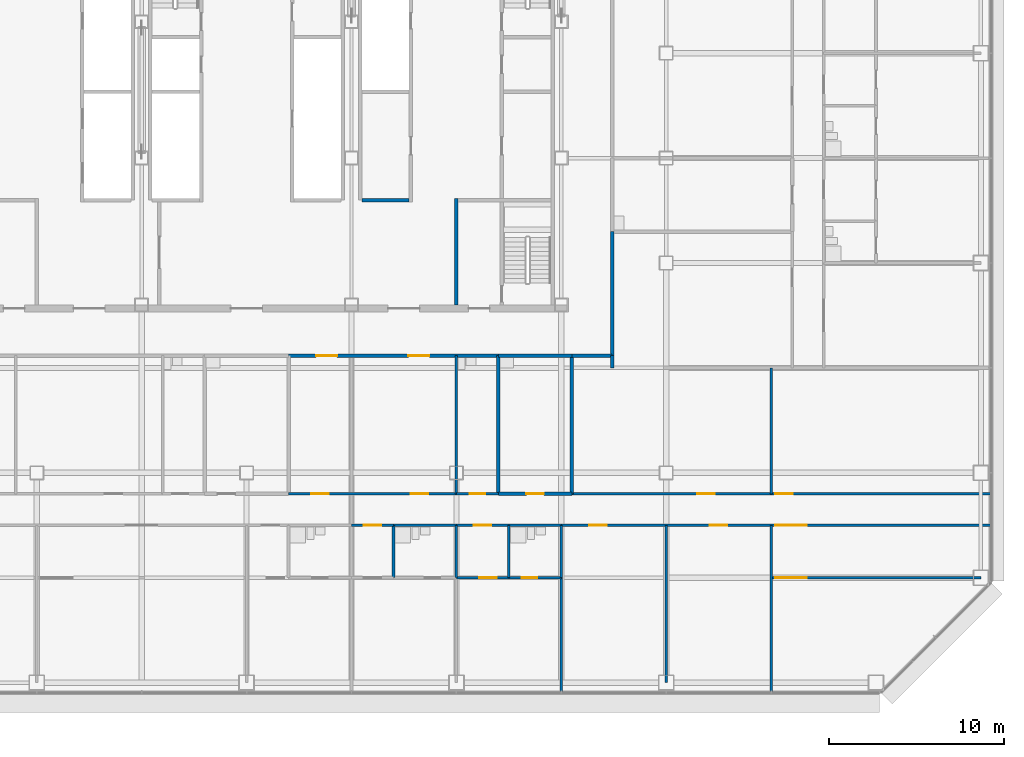
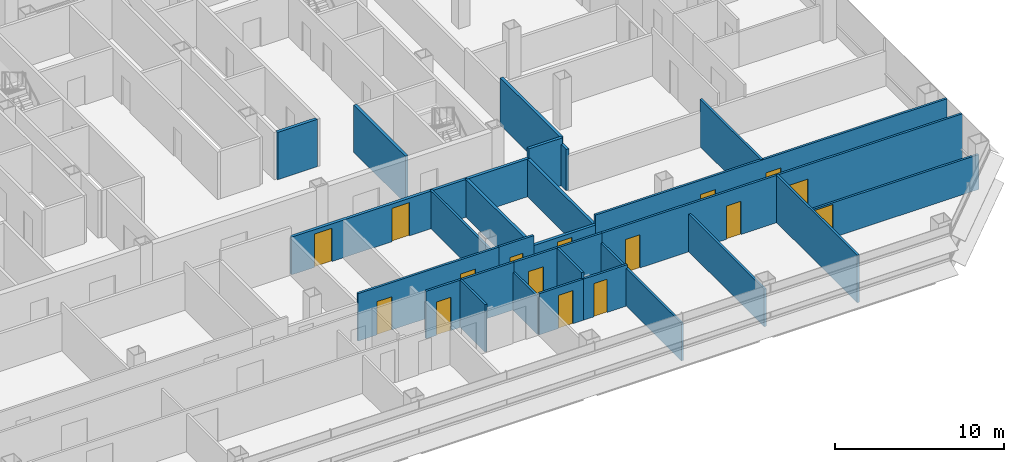
# One storey, part 21 of 26: 30 walls, 16 doors, 16 openings.
"""IFC4 building model written with IfcOpenShell, lengths in metres."""

from ifc_helpers import new_model, si_unit, direction, frame, frame_2d, origin, place, context, subcontext, project, spatial, rectangle, extrude, material, layer, layer_set, type_object, element, fill, save


model = new_model("IFC4")

# Units and contexts
model_context = context("Model", 3, precision=1e-05, world=origin(), true_north=direction((0.0, 1.0)))
body_context = subcontext(model_context, "Body", "Model", "MODEL_VIEW")
ifc_project = project(units=[si_unit("LENGTHUNIT", "METRE"), si_unit("AREAUNIT", "SQUARE_METRE"), si_unit("VOLUMEUNIT", "CUBIC_METRE"), si_unit("PLANEANGLEUNIT", "RADIAN"), si_unit("MASSUNIT", "GRAM", prefix="KILO")], contexts=[model_context])

# Site, building, storey
site_placement = place(None, origin())
site = spatial("IfcSite", under=ifc_project, at=site_placement, CompositionType="ELEMENT")
building_placement = place(site_placement, origin())
building = spatial("IfcBuilding", under=site, at=building_placement, Name="Sorahane Residences", CompositionType="ELEMENT")
storey_placement = place(building_placement, frame((0.0, 0.0, 71.39990234375)))
storey = spatial("IfcBuildingStorey", under=building, at=storey_placement, Name="L14", CompositionType="ELEMENT", Elevation=71.39990234375)

# Wall
ifc_material_1 = material(Name="Concrete blockwork C20 wall", Category="masonry")
ifc_layer_1 = layer(ifc_material_1, 0.199951171875)
ifc_layer_set_1 = layer_set([ifc_layer_1], Name="Corridor wall 200 EI 120")
wall_type_1 = type_object("IfcWallType", Name="Corridor wall 200 EI 120", PredefinedType="SOLIDWALL", material=ifc_layer_set_1)
wall_1_placement = place(storey_placement, frame((44.89990234375, 18.699951171875, 0.0), z_axis=(0.0, 0.0, 1.0), x_axis=(0.0, 1.0, 0.0)))
element("IfcWall", 1, at=wall_1_placement, inside=storey, type_object=wall_type_1, Name="L14 corridor wall", PredefinedType="SOLIDWALL", context=body_context, shape_type="SweptSolid", body=[
    extrude(rectangle(XDim=7.10009765625, YDim=0.199951171875, at=frame_2d((3.550048828125, 0.0))), origin(), (0.0, 0.0, 1.0), 3.420166015625),
])

# Wall, openings, doors
wall_2_placement = place(storey_placement, frame((26.39990234375, 18.699951171875, 0.0), z_axis=(0.0, 0.0, 1.0), x_axis=(1.0, 0.0, 0.0)))
wall_2 = element("IfcWall", 2, at=wall_2_placement, inside=storey, type_object=wall_type_1, Name="L14 corridor wall", PredefinedType="SOLIDWALL", context=body_context, shape_type="SweptSolid", body=[
    extrude(rectangle(XDim=12.0, YDim=0.199951171875, at=frame_2d((6.0, 0.0))), origin(), (0.0, 0.0, 1.0), 2.72021484375),
])
opening_1_placement = place(wall_2_placement, frame((1.580078125, 0.0, 0.0)))
opening_1 = element("IfcOpeningElement", 3, at=opening_1_placement, cuts=wall_2, Name="Opening L14-42", PredefinedType="OPENING", context=body_context, shape_type="SweptSolid", body=[
    extrude(rectangle(XDim=1.199951171875, YDim=2.39990234375, at=frame_2d((0.60009765625, 1.199951171875))), frame((0.0, 0.10986328125, 0.0), z_axis=(0.0, -1.0, 0.0), x_axis=(1.0, 0.0, 0.0)), (0.0, 0.0, 1.0), 0.219970703125),
])
opening_2_placement = place(wall_2_placement, frame((6.860107421875, 0.0, 0.0)))
opening_2 = element("IfcOpeningElement", 4, at=opening_2_placement, cuts=wall_2, Name="Opening L14-43", PredefinedType="OPENING", context=body_context, shape_type="SweptSolid", body=[
    extrude(rectangle(XDim=1.199951171875, YDim=2.39990234375, at=frame_2d((0.60009765625, 1.199951171875))), frame((0.0, 0.10986328125, 0.0), z_axis=(0.0, -1.0, 0.0), x_axis=(1.0, 0.0, 0.0)), (0.0, 0.0, 1.0), 0.219970703125),
])
ifc_material_2 = material(Name="Timber veneered fire door", Category="wood")
door_type_1 = type_object("IfcDoorType", Name="Flat entrance door 1200x2400 FD60", OperationType="NOTDEFINED", PredefinedType="DOOR", material=ifc_material_2)
door_1_placement = place(opening_1_placement, frame((1.199951171875, 0.0, 0.0), z_axis=(0.0, 0.0, 1.0), x_axis=(-1.0, 0.0, 0.0)))
door_1 = element("IfcDoor", 5, at=door_1_placement, inside=storey, type_object=door_type_1, Name="Flat entrance door L14-42", OperationType="SINGLE_SWING_LEFT", OverallHeight=2.39990234375, OverallWidth=1.199951171875, PredefinedType="DOOR", context=body_context, shape_type="SweptSolid", body=[
    extrude(rectangle(XDim=1.199951171875, YDim=2.39990234375, at=frame_2d((0.60009765625, 1.199951171875))), frame((0.0, 0.02490234375, 0.0), z_axis=(0.0, -1.0, 0.0), x_axis=(1.0, 0.0, 0.0)), (0.0, 0.0, 1.0), 0.050048828125),
])
fill(opening_1, door_1)
door_2_placement = place(opening_2_placement, frame((1.199951171875, 0.0, 0.0), z_axis=(0.0, 0.0, 1.0), x_axis=(-1.0, 0.0, 0.0)))
door_2 = element("IfcDoor", 6, at=door_2_placement, inside=storey, type_object=door_type_1, Name="Flat entrance door L14-43", OperationType="SINGLE_SWING_RIGHT", OverallHeight=2.39990234375, OverallWidth=1.199951171875, PredefinedType="DOOR", context=body_context, shape_type="SweptSolid", body=[
    extrude(rectangle(XDim=1.199951171875, YDim=2.39990234375, at=frame_2d((0.60009765625, 1.199951171875))), frame((0.0, 0.02490234375, 0.0), z_axis=(0.0, -1.0, 0.0), x_axis=(1.0, 0.0, 0.0)), (0.0, 0.0, 1.0), 0.050048828125),
])
fill(opening_2, door_2)

# Walls
wall_3_placement = place(storey_placement, frame((42.60009765625, 18.699951171875, 0.0), z_axis=(0.0, 0.0, 1.0), x_axis=(1.0, 0.0, 0.0)))
element("IfcWall", 7, at=wall_3_placement, inside=storey, type_object=wall_type_1, Name="L14 corridor wall", PredefinedType="SOLIDWALL", context=body_context, shape_type="SweptSolid", body=[
    extrude(rectangle(XDim=2.2998046875, YDim=0.199951171875, at=frame_2d((1.14990234375, 0.0))), origin(), (0.0, 0.0, 1.0), 3.420166015625),
])
ifc_material_3 = material(Name="Concrete C30", Category="concrete")
ifc_layer_2 = layer(ifc_material_3, 0.199951171875)
ifc_layer_set_2 = layer_set([ifc_layer_2], Name="Front room wall 200 EI 120")
wall_type_2 = type_object("IfcWallType", Name="Front room wall 200 EI 120", PredefinedType="PARTITIONING", material=ifc_layer_set_2)
wall_4_placement = place(storey_placement, frame((36.0, 21.60009765625, 0.0), z_axis=(0.0, 0.0, 1.0), x_axis=(0.0, 1.0, 0.0)))
element("IfcWall", 8, at=wall_4_placement, inside=storey, type_object=wall_type_2, Name="L14 front room wall", PredefinedType="PARTITIONING", context=body_context, shape_type="SweptSolid", body=[
    extrude(rectangle(XDim=6.099853515625, YDim=0.199951171875, at=frame_2d((3.0498046875, 0.0))), origin(), (0.0, 0.0, 1.0), 3.420166015625),
])
ifc_material_4 = material(Name="Concrete blockwork C20 wall", Category="masonry")
ifc_layer_3 = layer(ifc_material_4, 0.199951171875)
ifc_layer_set_3 = layer_set([ifc_layer_3], Name="Kitchen wall 200 EI 180")
wall_type_3 = type_object("IfcWallType", Name="Kitchen wall 200 EI 180", PredefinedType="SOLIDWALL", material=ifc_layer_set_3)
for number, where, z_axis, x_axis, name in (
    (9, (38.39990234375, 10.800048828125, 0.0), (0.0, 0.0, 1.0), (0.0, 1.0, 0.0), "L14 kitchen wall"),
    (10, (42.60009765625, 10.800048828125, 0.0), (0.0, 0.0, 1.0), (0.0, 1.0, 0.0), "L14 kitchen wall"),
):
    element("IfcWall", number, at=place(storey_placement, frame(where, z_axis=z_axis, x_axis=x_axis)), inside=storey, type_object=wall_type_3, Name=name, PredefinedType="SOLIDWALL", context=body_context, shape_type="SweptSolid", body=[
        extrude(rectangle(XDim=7.89990234375, YDim=0.199951171875, at=frame_2d((3.949951171875, 0.0))), origin(), (0.0, 0.0, 1.0), 2.72021484375),
    ])

# Wall, opening, door
wall_5_placement = place(storey_placement, frame((38.39990234375, 10.800048828125, 0.0), z_axis=(0.0, 0.0, 1.0), x_axis=(1.0, 0.0, 0.0)))
wall_5 = element("IfcWall", 11, at=wall_5_placement, inside=storey, type_object=wall_type_3, Name="L14 kitchen wall", PredefinedType="SOLIDWALL", context=body_context, shape_type="SweptSolid", body=[
    extrude(rectangle(XDim=4.2001953125, YDim=0.199951171875, at=frame_2d((2.10009765625, 0.0))), origin(), (0.0, 0.0, 1.0), 2.72021484375),
])
opening_3_placement = place(wall_5_placement, frame((1.60009765625, 0.0, 0.0)))
opening_3 = element("IfcOpeningElement", 12, at=opening_3_placement, cuts=wall_5, Name="Opening L14-15", PredefinedType="OPENING", context=body_context, shape_type="SweptSolid", body=[
    extrude(rectangle(XDim=1.0, YDim=2.39990234375, at=frame_2d((0.5, 1.199951171875))), frame((0.0, 0.10986328125, 0.0), z_axis=(0.0, -1.0, 0.0), x_axis=(1.0, 0.0, 0.0)), (0.0, 0.0, 1.0), 0.219970703125),
])
ifc_material_5 = material(Name="Steel", Category="steel")
door_type_2 = type_object("IfcDoorType", Name="Kitchen door 1000x2400 FD120", OperationType="NOTDEFINED", PredefinedType="DOOR", material=ifc_material_5)
door_3_placement = place(opening_3_placement, origin())
door_3 = element("IfcDoor", 13, at=door_3_placement, inside=storey, type_object=door_type_2, Name="Kitchen door L14-15", OperationType="SINGLE_SWING_RIGHT", OverallHeight=2.39990234375, OverallWidth=1.0, PredefinedType="DOOR", context=body_context, shape_type="SweptSolid", body=[
    extrude(rectangle(XDim=1.0, YDim=2.39990234375, at=frame_2d((0.5, 1.199951171875))), frame((0.0, 0.02490234375, 0.0), z_axis=(0.0, -1.0, 0.0), x_axis=(1.0, 0.0, 0.0)), (0.0, 0.0, 1.0), 0.050048828125),
])
fill(opening_3, door_3)

# Walls
wall_6_placement = place(storey_placement, frame((38.39990234375, 18.699951171875, 0.0), z_axis=(0.0, 0.0, 1.0), x_axis=(1.0, 0.0, 0.0)))
element("IfcWall", 14, at=wall_6_placement, inside=storey, type_object=wall_type_3, Name="L14 kitchen wall", PredefinedType="SOLIDWALL", context=body_context, shape_type="SweptSolid", body=[
    extrude(rectangle(XDim=4.2001953125, YDim=0.199951171875, at=frame_2d((2.10009765625, 0.0))), origin(), (0.0, 0.0, 1.0), 2.72021484375),
])
ifc_material_6 = material(Name="Gypsum board partition on steel studs", Category="steel")
ifc_layer_4 = layer(ifc_material_6, 0.14990234375)
ifc_layer_set_4 = layer_set([ifc_layer_4], Name="Partition 150 EI 90")
wall_type_4 = type_object("IfcWallType", Name="Partition 150 EI 90", PredefinedType="PARTITIONING", material=ifc_layer_set_4)
wall_7_placement = place(storey_placement, frame((42.0, -0.60009765625, 0.0), z_axis=(0.0, 0.0, 1.0), x_axis=(0.0, 1.0, 0.0)))
element("IfcWall", 15, at=wall_7_placement, inside=storey, type_object=wall_type_4, Name="L14 partition", PredefinedType="PARTITIONING", context=body_context, shape_type="SweptSolid", body=[
    extrude(rectangle(XDim=6.60009765625, YDim=0.14990234375, at=frame_2d((3.300048828125, 0.0))), origin(), (0.0, 0.0, 1.0), 2.72021484375),
])
wall_8_placement = place(storey_placement, frame((48.0, 0.0, 0.0), z_axis=(0.0, 0.0, 1.0), x_axis=(0.0, 1.0, 0.0)))
element("IfcWall", 16, at=wall_8_placement, inside=storey, type_object=wall_type_4, Name="L14 partition", PredefinedType="PARTITIONING", context=body_context, shape_type="SweptSolid", body=[
    extrude(rectangle(XDim=9.0, YDim=0.14990234375, at=frame_2d((4.5, 0.0))), origin(), (0.0, 0.0, 1.0), 2.72021484375),
])
wall_9_placement = place(storey_placement, frame((54.0, -0.60009765625, 0.0), z_axis=(0.0, 0.0, 1.0), x_axis=(0.0, 1.0, 0.0)))
element("IfcWall", 17, at=wall_9_placement, inside=storey, type_object=wall_type_4, Name="L14 partition", PredefinedType="PARTITIONING", context=body_context, shape_type="SweptSolid", body=[
    extrude(rectangle(XDim=9.60009765625, YDim=0.14990234375, at=frame_2d((4.800048828125, 0.0))), origin(), (0.0, 0.0, 1.0), 3.420166015625),
])
wall_10_placement = place(storey_placement, frame((54.0, 10.800048828125, 0.0), z_axis=(0.0, 0.0, 1.0), x_axis=(0.0, 1.0, 0.0)))
element("IfcWall", 18, at=wall_10_placement, inside=storey, type_object=wall_type_4, Name="L14 partition", PredefinedType="PARTITIONING", context=body_context, shape_type="SweptSolid", body=[
    extrude(rectangle(XDim=7.199951171875, YDim=0.14990234375, at=frame_2d((3.60009765625, 0.0))), origin(), (0.0, 0.0, 1.0), 3.420166015625),
])

# Wall, openings, doors
wall_11_placement = place(storey_placement, frame((26.39990234375, 10.800048828125, 0.0), z_axis=(0.0, 0.0, 1.0), x_axis=(1.0, 0.0, 0.0)))
wall_11 = element("IfcWall", 19, at=wall_11_placement, inside=storey, type_object=wall_type_4, Name="L14 partition", PredefinedType="PARTITIONING", context=body_context, shape_type="SweptSolid", body=[
    extrude(rectangle(XDim=9.60009765625, YDim=0.14990234375, at=frame_2d((4.800048828125, 0.0))), origin(), (0.0, 0.0, 1.0), 3.420166015625),
])
opening_4_placement = place(wall_11_placement, frame((1.300048828125, 0.0, 0.0)))
opening_4 = element("IfcOpeningElement", 20, at=opening_4_placement, cuts=wall_11, Name="Opening L14-01", PredefinedType="OPENING", context=body_context, shape_type="SweptSolid", body=[
    extrude(rectangle(XDim=1.0, YDim=2.39990234375, at=frame_2d((0.5, 1.199951171875))), frame((0.0, 0.0849609375, 0.0), z_axis=(0.0, -1.0, 0.0), x_axis=(1.0, 0.0, 0.0)), (0.0, 0.0, 1.0), 0.169921875),
])
opening_5_placement = place(wall_11_placement, frame((7.0, 0.0, 0.0)))
opening_5 = element("IfcOpeningElement", 21, at=opening_5_placement, cuts=wall_11, Name="Opening L14-13", PredefinedType="OPENING", context=body_context, shape_type="SweptSolid", body=[
    extrude(rectangle(XDim=1.0, YDim=2.39990234375, at=frame_2d((0.5, 1.199951171875))), frame((0.0, 0.0849609375, 0.0), z_axis=(0.0, -1.0, 0.0), x_axis=(1.0, 0.0, 0.0)), (0.0, 0.0, 1.0), 0.169921875),
])
ifc_material_7 = material(Name="Timber veneered fire door", Category="wood")
door_type_3 = type_object("IfcDoorType", Name="Room door 1000x2400 FD30", OperationType="NOTDEFINED", PredefinedType="DOOR", material=ifc_material_7)
door_4_placement = place(opening_4_placement, frame((1.0, 0.0, 0.0), z_axis=(0.0, 0.0, 1.0), x_axis=(-1.0, 0.0, 0.0)))
door_4 = element("IfcDoor", 22, at=door_4_placement, inside=storey, type_object=door_type_3, Name="Room door L14-01", OperationType="SINGLE_SWING_RIGHT", OverallHeight=2.39990234375, OverallWidth=1.0, PredefinedType="DOOR", context=body_context, shape_type="SweptSolid", body=[
    extrude(rectangle(XDim=1.0, YDim=2.39990234375, at=frame_2d((0.5, 1.199951171875))), frame((0.0, 0.02490234375, 0.0), z_axis=(0.0, -1.0, 0.0), x_axis=(1.0, 0.0, 0.0)), (0.0, 0.0, 1.0), 0.050048828125),
])
fill(opening_4, door_4)
door_5_placement = place(opening_5_placement, frame((1.0, 0.0, 0.0), z_axis=(0.0, 0.0, 1.0), x_axis=(-1.0, 0.0, 0.0)))
door_5 = element("IfcDoor", 23, at=door_5_placement, inside=storey, type_object=door_type_3, Name="Room door L14-13", OperationType="SINGLE_SWING_RIGHT", OverallHeight=2.39990234375, OverallWidth=1.0, PredefinedType="DOOR", context=body_context, shape_type="SweptSolid", body=[
    extrude(rectangle(XDim=1.0, YDim=2.39990234375, at=frame_2d((0.5, 1.199951171875))), frame((0.0, 0.02490234375, 0.0), z_axis=(0.0, -1.0, 0.0), x_axis=(1.0, 0.0, 0.0)), (0.0, 0.0, 1.0), 0.050048828125),
])
fill(opening_5, door_5)

wall_12_placement = place(storey_placement, frame((42.60009765625, 10.800048828125, 0.0), z_axis=(0.0, 0.0, 1.0), x_axis=(1.0, 0.0, 0.0)))
wall_12 = element("IfcWall", 24, at=wall_12_placement, inside=storey, type_object=wall_type_4, Name="L14 partition", PredefinedType="PARTITIONING", context=body_context, shape_type="SweptSolid", body=[
    extrude(rectangle(XDim=24.0, YDim=0.14990234375, at=frame_2d((12.0, 0.0))), origin(), (0.0, 0.0, 1.0), 3.420166015625),
])
opening_6_placement = place(wall_12_placement, frame((7.179931640625, 0.0, 0.0)))
opening_6 = element("IfcOpeningElement", 25, at=opening_6_placement, cuts=wall_12, Name="Opening L14-16", PredefinedType="OPENING", context=body_context, shape_type="SweptSolid", body=[
    extrude(rectangle(XDim=1.0, YDim=2.39990234375, at=frame_2d((0.5, 1.199951171875))), frame((0.0, 0.0849609375, 0.0), z_axis=(0.0, -1.0, 0.0), x_axis=(1.0, 0.0, 0.0)), (0.0, 0.0, 1.0), 0.169921875),
])
opening_7_placement = place(wall_12_placement, frame((11.64990234375, 0.0, 0.0)))
opening_7 = element("IfcOpeningElement", 26, at=opening_7_placement, cuts=wall_12, Name="Opening L14-17", PredefinedType="OPENING", context=body_context, shape_type="SweptSolid", body=[
    extrude(rectangle(XDim=1.0, YDim=2.39990234375, at=frame_2d((0.5, 1.199951171875))), frame((0.0, 0.0849609375, 0.0), z_axis=(0.0, -1.0, 0.0), x_axis=(1.0, 0.0, 0.0)), (0.0, 0.0, 1.0), 0.169921875),
])
door_6_placement = place(opening_6_placement, origin())
door_6 = element("IfcDoor", 27, at=door_6_placement, inside=storey, type_object=door_type_3, Name="Room door L14-16", OperationType="SINGLE_SWING_LEFT", OverallHeight=2.39990234375, OverallWidth=1.0, PredefinedType="DOOR", context=body_context, shape_type="SweptSolid", body=[
    extrude(rectangle(XDim=1.0, YDim=2.39990234375, at=frame_2d((0.5, 1.199951171875))), frame((0.0, 0.02490234375, 0.0), z_axis=(0.0, -1.0, 0.0), x_axis=(1.0, 0.0, 0.0)), (0.0, 0.0, 1.0), 0.050048828125),
])
fill(opening_6, door_6)
door_7_placement = place(opening_7_placement, origin())
door_7 = element("IfcDoor", 28, at=door_7_placement, inside=storey, type_object=door_type_3, Name="Room door L14-17", OperationType="SINGLE_SWING_LEFT", OverallHeight=2.39990234375, OverallWidth=1.0, PredefinedType="DOOR", context=body_context, shape_type="SweptSolid", body=[
    extrude(rectangle(XDim=1.0, YDim=2.39990234375, at=frame_2d((0.5, 1.199951171875))), frame((0.0, 0.02490234375, 0.0), z_axis=(0.0, -1.0, 0.0), x_axis=(1.0, 0.0, 0.0)), (0.0, 0.0, 1.0), 0.050048828125),
])
fill(opening_7, door_7)

# Wall, opening, door
wall_13_placement = place(storey_placement, frame((36.0, 6.0, 0.0), z_axis=(0.0, 0.0, 1.0), x_axis=(1.0, 0.0, 0.0)))
wall_13 = element("IfcWall", 29, at=wall_13_placement, inside=storey, type_object=wall_type_4, Name="L14 partition", PredefinedType="PARTITIONING", context=body_context, shape_type="SweptSolid", body=[
    extrude(rectangle(XDim=3.0, YDim=0.14990234375, at=frame_2d((1.5, 0.0))), origin(), (0.0, 0.0, 1.0), 2.97021484375),
])
opening_8_placement = place(wall_13_placement, frame((1.300048828125, 0.0, 0.0)))
opening_8 = element("IfcOpeningElement", 30, at=opening_8_placement, cuts=wall_13, Name="Opening L14-25", PredefinedType="OPENING", context=body_context, shape_type="SweptSolid", body=[
    extrude(rectangle(XDim=1.0, YDim=2.39990234375, at=frame_2d((0.5, 1.199951171875))), frame((0.0, 0.0849609375, 0.0), z_axis=(0.0, -1.0, 0.0), x_axis=(1.0, 0.0, 0.0)), (0.0, 0.0, 1.0), 0.169921875),
])
door_8_placement = place(opening_8_placement, frame((1.0, 0.0, 0.0), z_axis=(0.0, 0.0, 1.0), x_axis=(-1.0, 0.0, 0.0)))
door_8 = element("IfcDoor", 31, at=door_8_placement, inside=storey, type_object=door_type_3, Name="Room door L14-25", OperationType="SINGLE_SWING_LEFT", OverallHeight=2.39990234375, OverallWidth=1.0, PredefinedType="DOOR", context=body_context, shape_type="SweptSolid", body=[
    extrude(rectangle(XDim=1.0, YDim=2.39990234375, at=frame_2d((0.5, 1.199951171875))), frame((0.0, 0.02490234375, 0.0), z_axis=(0.0, -1.0, 0.0), x_axis=(1.0, 0.0, 0.0)), (0.0, 0.0, 1.0), 0.050048828125),
])
fill(opening_8, door_8)

wall_14_placement = place(storey_placement, frame((54.0, 6.0, 0.0), z_axis=(0.0, 0.0, 1.0), x_axis=(1.0, 0.0, 0.0)))
wall_14 = element("IfcWall", 32, at=wall_14_placement, inside=storey, type_object=wall_type_4, Name="L14 partition", PredefinedType="PARTITIONING", context=body_context, shape_type="SweptSolid", body=[
    extrude(rectangle(XDim=12.0, YDim=0.14990234375, at=frame_2d((6.0, 0.0))), origin(), (0.0, 0.0, 1.0), 2.52001953125),
])
opening_9_placement = place(wall_14_placement, frame((0.25, 0.0, 0.0)))
opening_9 = element("IfcOpeningElement", 33, at=opening_9_placement, cuts=wall_14, Name="Opening L14-27", PredefinedType="OPENING", context=body_context, shape_type="SweptSolid", body=[
    extrude(rectangle(XDim=1.800048828125, YDim=2.39990234375, at=frame_2d((0.89990234375, 1.199951171875))), frame((0.0, 0.0849609375, 0.0), z_axis=(0.0, -1.0, 0.0), x_axis=(1.0, 0.0, 0.0)), (0.0, 0.0, 1.0), 0.169921875),
])
ifc_material_8 = material(Name="Timber veneered fire door", Category="wood")
door_type_4 = type_object("IfcDoorType", Name="Double door 1800x2400 FD30", OperationType="NOTDEFINED", PredefinedType="DOOR", material=ifc_material_8)
door_9_placement = place(opening_9_placement, frame((1.800048828125, 0.0, 0.0), z_axis=(0.0, 0.0, 1.0), x_axis=(-1.0, 0.0, 0.0)))
door_9 = element("IfcDoor", 34, at=door_9_placement, inside=storey, type_object=door_type_4, Name="Double door L14-27", OperationType="SINGLE_SWING_RIGHT", OverallHeight=2.39990234375, OverallWidth=1.800048828125, PredefinedType="DOOR", context=body_context, shape_type="SweptSolid", body=[
    extrude(rectangle(XDim=1.800048828125, YDim=2.39990234375, at=frame_2d((0.89990234375, 1.199951171875))), frame((0.0, 0.02490234375, 0.0), z_axis=(0.0, -1.0, 0.0), x_axis=(1.0, 0.0, 0.0)), (0.0, 0.0, 1.0), 0.050048828125),
])
fill(opening_9, door_9)

wall_15_placement = place(storey_placement, frame((30.0, 9.0, 0.0), z_axis=(0.0, 0.0, 1.0), x_axis=(1.0, 0.0, 0.0)))
wall_15 = element("IfcWall", 35, at=wall_15_placement, inside=storey, type_object=wall_type_4, Name="L14 partition", PredefinedType="PARTITIONING", context=body_context, shape_type="SweptSolid", body=[
    extrude(rectangle(XDim=2.39990234375, YDim=0.14990234375, at=frame_2d((1.199951171875, 0.0))), origin(), (0.0, 0.0, 1.0), 3.420166015625),
])
opening_10_placement = place(wall_15_placement, frame((0.699951171875, 0.0, 0.0)))
opening_10 = element("IfcOpeningElement", 36, at=opening_10_placement, cuts=wall_15, Name="Opening L14-18", PredefinedType="OPENING", context=body_context, shape_type="SweptSolid", body=[
    extrude(rectangle(XDim=1.0, YDim=2.39990234375, at=frame_2d((0.5, 1.199951171875))), frame((0.0, 0.0849609375, 0.0), z_axis=(0.0, -1.0, 0.0), x_axis=(1.0, 0.0, 0.0)), (0.0, 0.0, 1.0), 0.169921875),
])
door_10_placement = place(opening_10_placement, frame((1.0, 0.0, 0.0), z_axis=(0.0, 0.0, 1.0), x_axis=(-1.0, 0.0, 0.0)))
door_10 = element("IfcDoor", 37, at=door_10_placement, inside=storey, type_object=door_type_3, Name="Room door L14-18", OperationType="SINGLE_SWING_LEFT", OverallHeight=2.39990234375, OverallWidth=1.0, PredefinedType="DOOR", context=body_context, shape_type="SweptSolid", body=[
    extrude(rectangle(XDim=1.0, YDim=2.39990234375, at=frame_2d((0.5, 1.199951171875))), frame((0.0, 0.02490234375, 0.0), z_axis=(0.0, -1.0, 0.0), x_axis=(1.0, 0.0, 0.0)), (0.0, 0.0, 1.0), 0.050048828125),
])
fill(opening_10, door_10)

wall_16_placement = place(storey_placement, frame((36.0, 9.0, 0.0), z_axis=(0.0, 0.0, 1.0), x_axis=(1.0, 0.0, 0.0)))
wall_16 = element("IfcWall", 38, at=wall_16_placement, inside=storey, type_object=wall_type_4, Name="L14 partition", PredefinedType="PARTITIONING", context=body_context, shape_type="SweptSolid", body=[
    extrude(rectangle(XDim=3.0, YDim=0.14990234375, at=frame_2d((1.5, 0.0))), origin(), (0.0, 0.0, 1.0), 3.420166015625),
])
opening_11_placement = place(wall_16_placement, frame((1.0, 0.0, 0.0)))
opening_11 = element("IfcOpeningElement", 39, at=opening_11_placement, cuts=wall_16, Name="Opening L14-19", PredefinedType="OPENING", context=body_context, shape_type="SweptSolid", body=[
    extrude(rectangle(XDim=1.0, YDim=2.39990234375, at=frame_2d((0.5, 1.199951171875))), frame((0.0, 0.0849609375, 0.0), z_axis=(0.0, -1.0, 0.0), x_axis=(1.0, 0.0, 0.0)), (0.0, 0.0, 1.0), 0.169921875),
])
door_11_placement = place(opening_11_placement, frame((1.0, 0.0, 0.0), z_axis=(0.0, 0.0, 1.0), x_axis=(-1.0, 0.0, 0.0)))
door_11 = element("IfcDoor", 40, at=door_11_placement, inside=storey, type_object=door_type_3, Name="Room door L14-19", OperationType="SINGLE_SWING_RIGHT", OverallHeight=2.39990234375, OverallWidth=1.0, PredefinedType="DOOR", context=body_context, shape_type="SweptSolid", body=[
    extrude(rectangle(XDim=1.0, YDim=2.39990234375, at=frame_2d((0.5, 1.199951171875))), frame((0.0, 0.02490234375, 0.0), z_axis=(0.0, -1.0, 0.0), x_axis=(1.0, 0.0, 0.0)), (0.0, 0.0, 1.0), 0.050048828125),
])
fill(opening_11, door_11)

# Wall, openings, doors
wall_17_placement = place(storey_placement, frame((42.0, 9.0, 0.0), z_axis=(0.0, 0.0, 1.0), x_axis=(1.0, 0.0, 0.0)))
wall_17 = element("IfcWall", 41, at=wall_17_placement, inside=storey, type_object=wall_type_4, Name="L14 partition", PredefinedType="PARTITIONING", context=body_context, shape_type="SweptSolid", body=[
    extrude(rectangle(XDim=24.60009765625, YDim=0.14990234375, at=frame_2d((12.300048828125, 0.0))), origin(), (0.0, 0.0, 1.0), 3.420166015625),
])
opening_12_placement = place(wall_17_placement, frame((1.60009765625, 0.0, 0.0)))
opening_12 = element("IfcOpeningElement", 42, at=opening_12_placement, cuts=wall_17, Name="Opening L14-20", PredefinedType="OPENING", context=body_context, shape_type="SweptSolid", body=[
    extrude(rectangle(XDim=1.0, YDim=2.39990234375, at=frame_2d((0.5, 1.199951171875))), frame((0.0, 0.0849609375, 0.0), z_axis=(0.0, -1.0, 0.0), x_axis=(1.0, 0.0, 0.0)), (0.0, 0.0, 1.0), 0.169921875),
])
opening_13_placement = place(wall_17_placement, frame((8.5, 0.0, 0.0)))
opening_13 = element("IfcOpeningElement", 43, at=opening_13_placement, cuts=wall_17, Name="Opening L14-21", PredefinedType="OPENING", context=body_context, shape_type="SweptSolid", body=[
    extrude(rectangle(XDim=1.0, YDim=2.39990234375, at=frame_2d((0.5, 1.199951171875))), frame((0.0, 0.0849609375, 0.0), z_axis=(0.0, -1.0, 0.0), x_axis=(1.0, 0.0, 0.0)), (0.0, 0.0, 1.0), 0.169921875),
])
opening_14_placement = place(wall_17_placement, frame((12.25, 0.0, 0.0)))
opening_14 = element("IfcOpeningElement", 44, at=opening_14_placement, cuts=wall_17, Name="Opening L14-22", PredefinedType="OPENING", context=body_context, shape_type="SweptSolid", body=[
    extrude(rectangle(XDim=1.800048828125, YDim=2.39990234375, at=frame_2d((0.89990234375, 1.199951171875))), frame((0.0, 0.0849609375, 0.0), z_axis=(0.0, -1.0, 0.0), x_axis=(1.0, 0.0, 0.0)), (0.0, 0.0, 1.0), 0.169921875),
])
door_12_placement = place(opening_14_placement, frame((1.800048828125, 0.0, 0.0), z_axis=(0.0, 0.0, 1.0), x_axis=(-1.0, 0.0, 0.0)))
door_12 = element("IfcDoor", 45, at=door_12_placement, inside=storey, type_object=door_type_4, Name="Double door L14-22", OperationType="SINGLE_SWING_RIGHT", OverallHeight=2.39990234375, OverallWidth=1.800048828125, PredefinedType="DOOR", context=body_context, shape_type="SweptSolid", body=[
    extrude(rectangle(XDim=1.800048828125, YDim=2.39990234375, at=frame_2d((0.89990234375, 1.199951171875))), frame((0.0, 0.02490234375, 0.0), z_axis=(0.0, -1.0, 0.0), x_axis=(1.0, 0.0, 0.0)), (0.0, 0.0, 1.0), 0.050048828125),
])
fill(opening_14, door_12)
door_13_placement = place(opening_12_placement, frame((1.0, 0.0, 0.0), z_axis=(0.0, 0.0, 1.0), x_axis=(-1.0, 0.0, 0.0)))
door_13 = element("IfcDoor", 46, at=door_13_placement, inside=storey, type_object=door_type_3, Name="Room door L14-20", OperationType="SINGLE_SWING_LEFT", OverallHeight=2.39990234375, OverallWidth=1.0, PredefinedType="DOOR", context=body_context, shape_type="SweptSolid", body=[
    extrude(rectangle(XDim=1.0, YDim=2.39990234375, at=frame_2d((0.5, 1.199951171875))), frame((0.0, 0.02490234375, 0.0), z_axis=(0.0, -1.0, 0.0), x_axis=(1.0, 0.0, 0.0)), (0.0, 0.0, 1.0), 0.050048828125),
])
fill(opening_12, door_13)
door_14_placement = place(opening_13_placement, frame((1.0, 0.0, 0.0), z_axis=(0.0, 0.0, 1.0), x_axis=(-1.0, 0.0, 0.0)))
door_14 = element("IfcDoor", 47, at=door_14_placement, inside=storey, type_object=door_type_3, Name="Room door L14-21", OperationType="SINGLE_SWING_RIGHT", OverallHeight=2.39990234375, OverallWidth=1.0, PredefinedType="DOOR", context=body_context, shape_type="SweptSolid", body=[
    extrude(rectangle(XDim=1.0, YDim=2.39990234375, at=frame_2d((0.5, 1.199951171875))), frame((0.0, 0.02490234375, 0.0), z_axis=(0.0, -1.0, 0.0), x_axis=(1.0, 0.0, 0.0)), (0.0, 0.0, 1.0), 0.050048828125),
])
fill(opening_13, door_14)

# Walls
ifc_material_9 = material(Name="Concrete blockwork C20 wall", Category="masonry")
ifc_layer_5 = layer(ifc_material_9, 0.199951171875)
ifc_layer_set_5 = layer_set([ifc_layer_5], Name="Party wall 200 EI 120")
wall_type_5 = type_object("IfcWallType", Name="Party wall 200 EI 120", PredefinedType="SOLIDWALL", material=ifc_layer_set_5)
wall_18_placement = place(storey_placement, frame((44.89990234375, 18.0, 0.0), z_axis=(0.0, 0.0, 1.0), x_axis=(0.0, 1.0, 0.0)))
element("IfcWall", 48, at=wall_18_placement, inside=storey, type_object=wall_type_5, Name="L14 party wall", PredefinedType="SOLIDWALL", context=body_context, shape_type="SweptSolid", body=[
    extrude(rectangle(XDim=0.699951171875, YDim=0.199951171875, at=frame_2d((0.35009765625, 0.0))), origin(), (0.0, 0.0, 1.0), 2.97021484375),
])
ifc_material_10 = material(Name="Concrete C30", Category="concrete")
ifc_layer_6 = layer(ifc_material_10, 0.199951171875)
ifc_layer_set_6 = layer_set([ifc_layer_6], Name="Service room partition 200 EI 60")
wall_type_6 = type_object("IfcWallType", Name="Service room partition 200 EI 60", PredefinedType="PARTITIONING", material=ifc_layer_set_6)
wall_19_placement = place(storey_placement, frame((30.60009765625, 27.60009765625, 0.0), z_axis=(0.0, 0.0, 1.0), x_axis=(1.0, 0.0, 0.0)))
element("IfcWall", 49, at=wall_19_placement, inside=storey, type_object=wall_type_6, Name="L14 service room wall", PredefinedType="PARTITIONING", context=body_context, shape_type="SweptSolid", body=[
    extrude(rectangle(XDim=2.699951171875, YDim=0.199951171875, at=frame_2d((1.35009765625, 0.0))), origin(), (0.0, 0.0, 1.0), 3.420166015625),
])
ifc_material_11 = material(Name="Gypsum board partition on steel studs", Category="steel")
ifc_layer_7 = layer(ifc_material_11, 0.14990234375)
ifc_layer_set_7 = layer_set([ifc_layer_7], Name="Wet wall 150 EI 90")
wall_type_7 = type_object("IfcWallType", Name="Wet wall 150 EI 90", PredefinedType="PARTITIONING", material=ifc_layer_set_7)
wall_20_placement = place(storey_placement, frame((32.39990234375, 6.0, 0.0), z_axis=(0.0, 0.0, 1.0), x_axis=(0.0, 1.0, 0.0)))
element("IfcWall", 50, at=wall_20_placement, inside=storey, type_object=wall_type_7, Name="L14 wet wall", PredefinedType="PARTITIONING", context=body_context, shape_type="SweptSolid", body=[
    extrude(rectangle(XDim=3.0, YDim=0.14990234375, at=frame_2d((1.5, 0.0))), origin(), (0.0, 0.0, 1.0), 3.420166015625),
])
wall_21_placement = place(storey_placement, frame((36.0, 6.0, 0.0), z_axis=(0.0, 0.0, 1.0), x_axis=(0.0, 1.0, 0.0)))
element("IfcWall", 51, at=wall_21_placement, inside=storey, type_object=wall_type_7, Name="L14 wet wall", PredefinedType="PARTITIONING", context=body_context, shape_type="SweptSolid", body=[
    extrude(rectangle(XDim=3.0, YDim=0.14990234375, at=frame_2d((1.5, 0.0))), origin(), (0.0, 0.0, 1.0), 2.72021484375),
])
wall_22_placement = place(storey_placement, frame((36.0, 10.800048828125, 0.0), z_axis=(0.0, 0.0, 1.0), x_axis=(0.0, 1.0, 0.0)))
element("IfcWall", 52, at=wall_22_placement, inside=storey, type_object=wall_type_7, Name="L14 wet wall", PredefinedType="PARTITIONING", context=body_context, shape_type="SweptSolid", body=[
    extrude(rectangle(XDim=7.89990234375, YDim=0.14990234375, at=frame_2d((3.949951171875, 0.0))), origin(), (0.0, 0.0, 1.0), 2.72021484375),
])
wall_23_placement = place(storey_placement, frame((39.0, 6.0, 0.0), z_axis=(0.0, 0.0, 1.0), x_axis=(0.0, 1.0, 0.0)))
element("IfcWall", 53, at=wall_23_placement, inside=storey, type_object=wall_type_7, Name="L14 wet wall", PredefinedType="PARTITIONING", context=body_context, shape_type="SweptSolid", body=[
    extrude(rectangle(XDim=3.0, YDim=0.14990234375, at=frame_2d((1.5, 0.0))), origin(), (0.0, 0.0, 1.0), 3.420166015625),
])
wall_24_placement = place(storey_placement, frame((42.0, 6.0, 0.0), z_axis=(0.0, 0.0, 1.0), x_axis=(0.0, 1.0, 0.0)))
element("IfcWall", 54, at=wall_24_placement, inside=storey, type_object=wall_type_7, Name="L14 wet wall", PredefinedType="PARTITIONING", context=body_context, shape_type="SweptSolid", body=[
    extrude(rectangle(XDim=3.0, YDim=0.14990234375, at=frame_2d((1.5, 0.0))), origin(), (0.0, 0.0, 1.0), 2.72021484375),
])

# Wall, opening, door
wall_25_placement = place(storey_placement, frame((36.0, 10.800048828125, 0.0), z_axis=(0.0, 0.0, 1.0), x_axis=(1.0, 0.0, 0.0)))
wall_25 = element("IfcWall", 55, at=wall_25_placement, inside=storey, type_object=wall_type_7, Name="L14 wet wall", PredefinedType="PARTITIONING", context=body_context, shape_type="SweptSolid", body=[
    extrude(rectangle(XDim=2.39990234375, YDim=0.14990234375, at=frame_2d((1.199951171875, 0.0))), origin(), (0.0, 0.0, 1.0), 3.420166015625),
])
opening_15_placement = place(wall_25_placement, frame((0.75, 0.0, 0.0)))
opening_15 = element("IfcOpeningElement", 56, at=opening_15_placement, cuts=wall_25, Name="Opening L14-14", PredefinedType="OPENING", context=body_context, shape_type="SweptSolid", body=[
    extrude(rectangle(XDim=0.89990234375, YDim=2.39990234375, at=frame_2d((0.449951171875, 1.199951171875))), frame((0.0, 0.0849609375, 0.0), z_axis=(0.0, -1.0, 0.0), x_axis=(1.0, 0.0, 0.0)), (0.0, 0.0, 1.0), 0.169921875),
])
ifc_material_12 = material(Name="Timber veneered fire door", Category="wood")
door_type_5 = type_object("IfcDoorType", Name="Bathroom door 900x2400 FD30", OperationType="NOTDEFINED", PredefinedType="DOOR", material=ifc_material_12)
door_15_placement = place(opening_15_placement, frame((0.89990234375, 0.0, 0.0), z_axis=(0.0, 0.0, 1.0), x_axis=(-1.0, 0.0, 0.0)))
door_15 = element("IfcDoor", 57, at=door_15_placement, inside=storey, type_object=door_type_5, Name="Bathroom door L14-14", OperationType="SINGLE_SWING_LEFT", OverallHeight=2.39990234375, OverallWidth=0.89990234375, PredefinedType="DOOR", context=body_context, shape_type="SweptSolid", body=[
    extrude(rectangle(XDim=0.89990234375, YDim=2.39990234375, at=frame_2d((0.449951171875, 1.199951171875))), frame((0.0, 0.02490234375, 0.0), z_axis=(0.0, -1.0, 0.0), x_axis=(1.0, 0.0, 0.0)), (0.0, 0.0, 1.0), 0.050048828125),
])
fill(opening_15, door_15)

wall_26_placement = place(storey_placement, frame((39.0, 6.0, 0.0), z_axis=(0.0, 0.0, 1.0), x_axis=(1.0, 0.0, 0.0)))
wall_26 = element("IfcWall", 58, at=wall_26_placement, inside=storey, type_object=wall_type_7, Name="L14 wet wall", PredefinedType="PARTITIONING", context=body_context, shape_type="SweptSolid", body=[
    extrude(rectangle(XDim=3.0, YDim=0.14990234375, at=frame_2d((1.5, 0.0))), origin(), (0.0, 0.0, 1.0), 2.97021484375),
])
opening_16_placement = place(wall_26_placement, frame((0.72998046875, 0.0, 0.0)))
opening_16 = element("IfcOpeningElement", 59, at=opening_16_placement, cuts=wall_26, Name="Opening L14-26", PredefinedType="OPENING", context=body_context, shape_type="SweptSolid", body=[
    extrude(rectangle(XDim=0.89990234375, YDim=2.39990234375, at=frame_2d((0.449951171875, 1.199951171875))), frame((0.0, 0.0849609375, 0.0), z_axis=(0.0, -1.0, 0.0), x_axis=(1.0, 0.0, 0.0)), (0.0, 0.0, 1.0), 0.169921875),
])
door_16_placement = place(opening_16_placement, frame((0.89990234375, 0.0, 0.0), z_axis=(0.0, 0.0, 1.0), x_axis=(-1.0, 0.0, 0.0)))
door_16 = element("IfcDoor", 60, at=door_16_placement, inside=storey, type_object=door_type_5, Name="Bathroom door L14-26", OperationType="SINGLE_SWING_RIGHT", OverallHeight=2.39990234375, OverallWidth=0.89990234375, PredefinedType="DOOR", context=body_context, shape_type="SweptSolid", body=[
    extrude(rectangle(XDim=0.89990234375, YDim=2.39990234375, at=frame_2d((0.449951171875, 1.199951171875))), frame((0.0, 0.02490234375, 0.0), z_axis=(0.0, -1.0, 0.0), x_axis=(1.0, 0.0, 0.0)), (0.0, 0.0, 1.0), 0.050048828125),
])
fill(opening_16, door_16)

# Walls
wall_27_placement = place(storey_placement, frame((32.39990234375, 9.0, 0.0), z_axis=(0.0, 0.0, 1.0), x_axis=(1.0, 0.0, 0.0)))
element("IfcWall", 61, at=wall_27_placement, inside=storey, type_object=wall_type_7, Name="L14 wet wall", PredefinedType="PARTITIONING", context=body_context, shape_type="SweptSolid", body=[
    extrude(rectangle(XDim=3.60009765625, YDim=0.14990234375, at=frame_2d((1.800048828125, 0.0))), origin(), (0.0, 0.0, 1.0), 3.420166015625),
])
wall_28_placement = place(storey_placement, frame((39.0, 9.0, 0.0), z_axis=(0.0, 0.0, 1.0), x_axis=(1.0, 0.0, 0.0)))
element("IfcWall", 62, at=wall_28_placement, inside=storey, type_object=wall_type_7, Name="L14 wet wall", PredefinedType="PARTITIONING", context=body_context, shape_type="SweptSolid", body=[
    extrude(rectangle(XDim=3.0, YDim=0.14990234375, at=frame_2d((1.5, 0.0))), origin(), (0.0, 0.0, 1.0), 3.420166015625),
])

save(model, "model.ifc")
